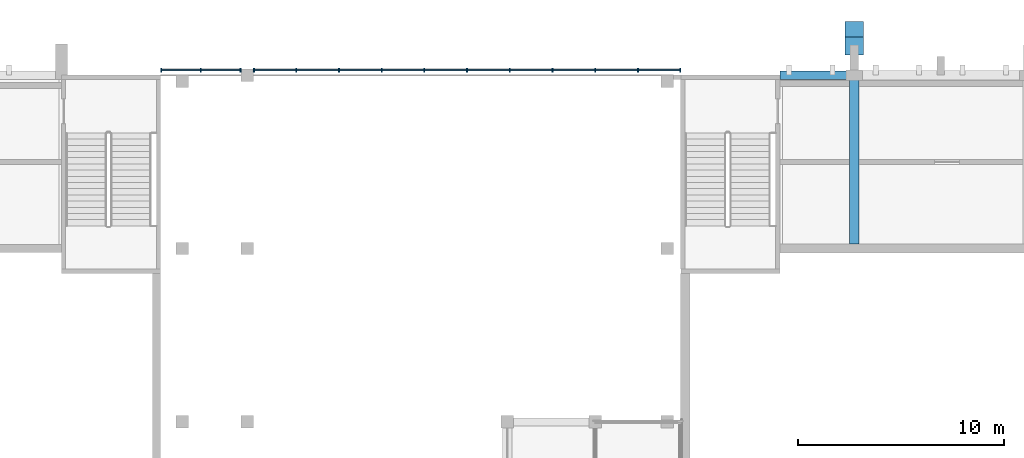
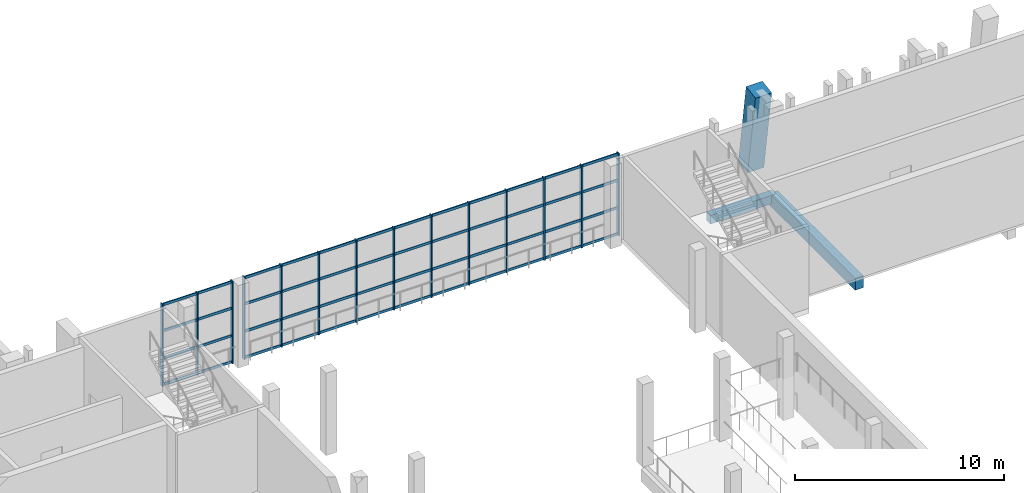
# One storey, part 9 of 91: 63 members, 2 beams, 2 elements without a shape of their own.
"""IFC4 building model written with IfcOpenShell, lengths in metres."""

from ifc_helpers import new_model, si_unit, direction, frame, origin, origin_2d, place, context, subcontext, project, spatial, rectangle, extrude, material, layer, layer_set, material_profile, profile_set, type_object, element, aggregate, save


model = new_model("IFC4")

# Units and contexts
model_context = context("Model", 3, precision=1e-05, world=origin(), true_north=direction((0.0, 1.0)))
body_context = subcontext(model_context, "Body", "Model", "MODEL_VIEW")
ifc_project = project(units=[si_unit("LENGTHUNIT", "METRE"), si_unit("AREAUNIT", "SQUARE_METRE"), si_unit("VOLUMEUNIT", "CUBIC_METRE"), si_unit("PLANEANGLEUNIT", "RADIAN"), si_unit("MASSUNIT", "GRAM", prefix="KILO")], contexts=[model_context])

# Site, building, storey
site_placement = place(None, origin())
site = spatial("IfcSite", under=ifc_project, at=site_placement, CompositionType="ELEMENT")
building_placement = place(site_placement, origin())
building = spatial("IfcBuilding", under=site, at=building_placement, Name="Kiln Court Media Centre", CompositionType="ELEMENT")
storey_placement = place(building_placement, frame((0.0, 0.0, 5.39990234375)))
storey = spatial("IfcBuildingStorey", under=building, at=storey_placement, Name="L01", CompositionType="ELEMENT", Elevation=5.39990234375)

# Curtain wall, members
ifc_material_1 = material(Name="Aluminium 6063-T6", Category="aluminium")
ifc_layer = layer(ifc_material_1, 0.1201171875)
ifc_layer_set = layer_set([ifc_layer], Name="Aluminium stick curtain wall, foyer")
curtain_wall_type = type_object("IfcCurtainWallType", Name="Aluminium stick curtain wall, foyer", PredefinedType="USERDEFINED", material=ifc_layer_set)
curtain_wall_1_placement = place(storey_placement, origin())
curtain_wall_1 = element("IfcCurtainWall", 1, at=curtain_wall_1_placement, inside=storey, type_object=curtain_wall_type, Name="Foyer north glazing L01", ObjectType="STICK CURTAIN WALL", PredefinedType="USERDEFINED")
ifc_material_2 = material(Name="Aluminium 6063-T6", Category="aluminium")
ifc_material_profile_1 = material_profile(ifc_material_2, rectangle(XDim=0.06005859375, YDim=0.199951171875, at=origin_2d()), Name="Aluminium hall mullion 60x200")
ifc_profile_set_1 = profile_set([ifc_material_profile_1], Name="Aluminium 6063-T6")
member_type_1 = type_object("IfcMemberType", Name="Aluminium hall mullion 60x200", PredefinedType="MULLION", material=ifc_profile_set_1)
member_1_placement = place(storey_placement, frame((33.6298828125, 67.444580078125, 0.0), z_axis=(0.0, 0.0, 1.0), x_axis=(1.0, 0.0, 0.0)))
member_1 = element("IfcMember", 2, at=member_1_placement, type_object=member_type_1, Name="CW1-60 mullion 1", PredefinedType="MULLION", context=body_context, shape_type="SweptSolid", body=[
    extrude(rectangle(XDim=0.06005859375, YDim=0.199951171875, at=origin_2d()), origin(), (0.0, 0.0, 1.0), 4.800048828125),
])
member_2_placement = place(storey_placement, frame((35.550048828125, 67.444580078125, 0.0), z_axis=(0.0, 0.0, 1.0), x_axis=(1.0, 0.0, 0.0)))
member_2 = element("IfcMember", 3, at=member_2_placement, type_object=member_type_1, Name="CW1-60 mullion 2", PredefinedType="MULLION", context=body_context, shape_type="SweptSolid", body=[
    extrude(rectangle(XDim=0.06005859375, YDim=0.199951171875, at=origin_2d()), origin(), (0.0, 0.0, 1.0), 4.800048828125),
])
member_3_placement = place(storey_placement, frame((37.469970703125, 67.444580078125, 0.0), z_axis=(0.0, 0.0, 1.0), x_axis=(1.0, 0.0, 0.0)))
member_3 = element("IfcMember", 4, at=member_3_placement, type_object=member_type_1, Name="CW1-60 mullion 3", PredefinedType="MULLION", context=body_context, shape_type="SweptSolid", body=[
    extrude(rectangle(XDim=0.06005859375, YDim=0.199951171875, at=origin_2d()), origin(), (0.0, 0.0, 1.0), 4.800048828125),
])

curtain_wall_2_placement = place(storey_placement, origin())
curtain_wall_2 = element("IfcCurtainWall", 5, at=curtain_wall_2_placement, inside=storey, type_object=curtain_wall_type, Name="Foyer north glazing L01", ObjectType="STICK CURTAIN WALL", PredefinedType="USERDEFINED")
member_4_placement = place(storey_placement, frame((38.1298828125, 67.444580078125, 0.0), z_axis=(0.0, 0.0, 1.0), x_axis=(1.0, 0.0, 0.0)))
member_4 = element("IfcMember", 6, at=member_4_placement, type_object=member_type_1, Name="CW1-61 mullion 1", PredefinedType="MULLION", context=body_context, shape_type="SweptSolid", body=[
    extrude(rectangle(XDim=0.06005859375, YDim=0.199951171875, at=origin_2d()), origin(), (0.0, 0.0, 1.0), 4.800048828125),
])
member_5_placement = place(storey_placement, frame((40.169921875, 67.444580078125, 0.0), z_axis=(0.0, 0.0, 1.0), x_axis=(1.0, 0.0, 0.0)))
member_5 = element("IfcMember", 7, at=member_5_placement, type_object=member_type_1, Name="CW1-61 mullion 2", PredefinedType="MULLION", context=body_context, shape_type="SweptSolid", body=[
    extrude(rectangle(XDim=0.06005859375, YDim=0.199951171875, at=origin_2d()), origin(), (0.0, 0.0, 1.0), 4.800048828125),
])
member_6_placement = place(storey_placement, frame((42.239990234375, 67.444580078125, 0.0), z_axis=(0.0, 0.0, 1.0), x_axis=(1.0, 0.0, 0.0)))
member_6 = element("IfcMember", 8, at=member_6_placement, type_object=member_type_1, Name="CW1-61 mullion 3", PredefinedType="MULLION", context=body_context, shape_type="SweptSolid", body=[
    extrude(rectangle(XDim=0.06005859375, YDim=0.199951171875, at=origin_2d()), origin(), (0.0, 0.0, 1.0), 4.800048828125),
])
member_7_placement = place(storey_placement, frame((44.31005859375, 67.444580078125, 0.0), z_axis=(0.0, 0.0, 1.0), x_axis=(1.0, 0.0, 0.0)))
member_7 = element("IfcMember", 9, at=member_7_placement, type_object=member_type_1, Name="CW1-61 mullion 4", PredefinedType="MULLION", context=body_context, shape_type="SweptSolid", body=[
    extrude(rectangle(XDim=0.06005859375, YDim=0.199951171875, at=origin_2d()), origin(), (0.0, 0.0, 1.0), 4.800048828125),
])
member_8_placement = place(storey_placement, frame((46.3798828125, 67.444580078125, 0.0), z_axis=(0.0, 0.0, 1.0), x_axis=(1.0, 0.0, 0.0)))
member_8 = element("IfcMember", 10, at=member_8_placement, type_object=member_type_1, Name="CW1-61 mullion 5", PredefinedType="MULLION", context=body_context, shape_type="SweptSolid", body=[
    extrude(rectangle(XDim=0.06005859375, YDim=0.199951171875, at=origin_2d()), origin(), (0.0, 0.0, 1.0), 4.800048828125),
])
member_9_placement = place(storey_placement, frame((48.449951171875, 67.444580078125, 0.0), z_axis=(0.0, 0.0, 1.0), x_axis=(1.0, 0.0, 0.0)))
member_9 = element("IfcMember", 11, at=member_9_placement, type_object=member_type_1, Name="CW1-61 mullion 6", PredefinedType="MULLION", context=body_context, shape_type="SweptSolid", body=[
    extrude(rectangle(XDim=0.06005859375, YDim=0.199951171875, at=origin_2d()), origin(), (0.0, 0.0, 1.0), 4.800048828125),
])
member_10_placement = place(storey_placement, frame((50.52001953125, 67.444580078125, 0.0), z_axis=(0.0, 0.0, 1.0), x_axis=(1.0, 0.0, 0.0)))
member_10 = element("IfcMember", 12, at=member_10_placement, type_object=member_type_1, Name="CW1-61 mullion 7", PredefinedType="MULLION", context=body_context, shape_type="SweptSolid", body=[
    extrude(rectangle(XDim=0.06005859375, YDim=0.199951171875, at=origin_2d()), origin(), (0.0, 0.0, 1.0), 4.800048828125),
])
member_11_placement = place(storey_placement, frame((52.590087890625, 67.444580078125, 0.0), z_axis=(0.0, 0.0, 1.0), x_axis=(1.0, 0.0, 0.0)))
member_11 = element("IfcMember", 13, at=member_11_placement, type_object=member_type_1, Name="CW1-61 mullion 8", PredefinedType="MULLION", context=body_context, shape_type="SweptSolid", body=[
    extrude(rectangle(XDim=0.06005859375, YDim=0.199951171875, at=origin_2d()), origin(), (0.0, 0.0, 1.0), 4.800048828125),
])
member_12_placement = place(storey_placement, frame((54.659912109375, 67.444580078125, 0.0), z_axis=(0.0, 0.0, 1.0), x_axis=(1.0, 0.0, 0.0)))
member_12 = element("IfcMember", 14, at=member_12_placement, type_object=member_type_1, Name="CW1-61 mullion 9", PredefinedType="MULLION", context=body_context, shape_type="SweptSolid", body=[
    extrude(rectangle(XDim=0.06005859375, YDim=0.199951171875, at=origin_2d()), origin(), (0.0, 0.0, 1.0), 4.800048828125),
])
member_13_placement = place(storey_placement, frame((56.72998046875, 67.444580078125, 0.0), z_axis=(0.0, 0.0, 1.0), x_axis=(1.0, 0.0, 0.0)))
member_13 = element("IfcMember", 15, at=member_13_placement, type_object=member_type_1, Name="CW1-61 mullion 10", PredefinedType="MULLION", context=body_context, shape_type="SweptSolid", body=[
    extrude(rectangle(XDim=0.06005859375, YDim=0.199951171875, at=origin_2d()), origin(), (0.0, 0.0, 1.0), 4.800048828125),
])
member_14_placement = place(storey_placement, frame((58.77001953125, 67.444580078125, 0.0), z_axis=(0.0, 0.0, 1.0), x_axis=(1.0, 0.0, 0.0)))
member_14 = element("IfcMember", 16, at=member_14_placement, type_object=member_type_1, Name="CW1-61 mullion 11", PredefinedType="MULLION", context=body_context, shape_type="SweptSolid", body=[
    extrude(rectangle(XDim=0.06005859375, YDim=0.199951171875, at=origin_2d()), origin(), (0.0, 0.0, 1.0), 4.800048828125),
])

# Member
ifc_material_3 = material(Name="Aluminium 6063-T6", Category="aluminium")
ifc_material_profile_2 = material_profile(ifc_material_3, rectangle(XDim=0.06005859375, YDim=0.14990234375, at=origin_2d()), Name="Aluminium hall transom 60x150")
ifc_profile_set_2 = profile_set([ifc_material_profile_2], Name="Aluminium 6063-T6")
member_type_2 = type_object("IfcMemberType", Name="Aluminium hall transom 60x150", PredefinedType="USERDEFINED", material=ifc_profile_set_2)
member_15_placement = place(storey_placement, frame((33.659912109375, 67.444580078125, 0.0751953125), z_axis=(1.0, 0.0, 0.0), x_axis=(0.0, 1.0, 0.0)))
member_15 = element("IfcMember", 17, at=member_15_placement, type_object=member_type_2, Name="CW1-60 transom 1.1", ObjectType="TRANSOM", PredefinedType="USERDEFINED", context=body_context, shape_type="SweptSolid", body=[
    extrude(rectangle(XDim=0.06005859375, YDim=0.14990234375, at=origin_2d()), origin(), (0.0, 0.0, 1.0), 1.860107421875),
])

member_16_placement = place(storey_placement, frame((33.659912109375, 67.444580078125, 1.60009765625), z_axis=(1.0, 0.0, 0.0), x_axis=(0.0, 1.0, 0.0)))
member_16 = element("IfcMember", 18, at=member_16_placement, type_object=member_type_2, Name="CW1-60 transom 1.2", ObjectType="TRANSOM", PredefinedType="USERDEFINED", context=body_context, shape_type="SweptSolid", body=[
    extrude(rectangle(XDim=0.06005859375, YDim=0.14990234375, at=origin_2d()), origin(), (0.0, 0.0, 1.0), 1.860107421875),
])

member_17_placement = place(storey_placement, frame((33.659912109375, 67.444580078125, 3.2001953125), z_axis=(1.0, 0.0, 0.0), x_axis=(0.0, 1.0, 0.0)))
member_17 = element("IfcMember", 19, at=member_17_placement, type_object=member_type_2, Name="CW1-60 transom 1.3", ObjectType="TRANSOM", PredefinedType="USERDEFINED", context=body_context, shape_type="SweptSolid", body=[
    extrude(rectangle(XDim=0.06005859375, YDim=0.14990234375, at=origin_2d()), origin(), (0.0, 0.0, 1.0), 1.860107421875),
])

member_18_placement = place(storey_placement, frame((33.659912109375, 67.444580078125, 4.72509765625), z_axis=(1.0, 0.0, 0.0), x_axis=(0.0, 1.0, 0.0)))
member_18 = element("IfcMember", 20, at=member_18_placement, type_object=member_type_2, Name="CW1-60 transom 1.4", ObjectType="TRANSOM", PredefinedType="USERDEFINED", context=body_context, shape_type="SweptSolid", body=[
    extrude(rectangle(XDim=0.06005859375, YDim=0.14990234375, at=origin_2d()), origin(), (0.0, 0.0, 1.0), 1.860107421875),
])

member_19_placement = place(storey_placement, frame((35.580078125, 67.444580078125, 0.0751953125), z_axis=(1.0, 0.0, 0.0), x_axis=(0.0, 1.0, 0.0)))
member_19 = element("IfcMember", 21, at=member_19_placement, type_object=member_type_2, Name="CW1-60 transom 2.1", ObjectType="TRANSOM", PredefinedType="USERDEFINED", context=body_context, shape_type="SweptSolid", body=[
    extrude(rectangle(XDim=0.06005859375, YDim=0.14990234375, at=origin_2d()), origin(), (0.0, 0.0, 1.0), 1.85986328125),
])

member_20_placement = place(storey_placement, frame((35.580078125, 67.444580078125, 1.60009765625), z_axis=(1.0, 0.0, 0.0), x_axis=(0.0, 1.0, 0.0)))
member_20 = element("IfcMember", 22, at=member_20_placement, type_object=member_type_2, Name="CW1-60 transom 2.2", ObjectType="TRANSOM", PredefinedType="USERDEFINED", context=body_context, shape_type="SweptSolid", body=[
    extrude(rectangle(XDim=0.06005859375, YDim=0.14990234375, at=origin_2d()), origin(), (0.0, 0.0, 1.0), 1.85986328125),
])

member_21_placement = place(storey_placement, frame((35.580078125, 67.444580078125, 3.2001953125), z_axis=(1.0, 0.0, 0.0), x_axis=(0.0, 1.0, 0.0)))
member_21 = element("IfcMember", 23, at=member_21_placement, type_object=member_type_2, Name="CW1-60 transom 2.3", ObjectType="TRANSOM", PredefinedType="USERDEFINED", context=body_context, shape_type="SweptSolid", body=[
    extrude(rectangle(XDim=0.06005859375, YDim=0.14990234375, at=origin_2d()), origin(), (0.0, 0.0, 1.0), 1.85986328125),
])

member_22_placement = place(storey_placement, frame((35.580078125, 67.444580078125, 4.72509765625), z_axis=(1.0, 0.0, 0.0), x_axis=(0.0, 1.0, 0.0)))
member_22 = element("IfcMember", 24, at=member_22_placement, type_object=member_type_2, Name="CW1-60 transom 2.4", ObjectType="TRANSOM", PredefinedType="USERDEFINED", context=body_context, shape_type="SweptSolid", body=[
    extrude(rectangle(XDim=0.06005859375, YDim=0.14990234375, at=origin_2d()), origin(), (0.0, 0.0, 1.0), 1.85986328125),
])

aggregate(curtain_wall_1, [member_1, member_2, member_3, member_15, member_16, member_17, member_18, member_19, member_20, member_21, member_22])

member_23_placement = place(storey_placement, frame((38.159912109375, 67.444580078125, 0.0751953125), z_axis=(1.0, 0.0, 0.0), x_axis=(0.0, 1.0, 0.0)))
member_23 = element("IfcMember", 25, at=member_23_placement, type_object=member_type_2, Name="CW1-61 transom 1.1", ObjectType="TRANSOM", PredefinedType="USERDEFINED", context=body_context, shape_type="SweptSolid", body=[
    extrude(rectangle(XDim=0.06005859375, YDim=0.14990234375, at=origin_2d()), origin(), (0.0, 0.0, 1.0), 1.97998046875),
])

member_24_placement = place(storey_placement, frame((38.159912109375, 67.444580078125, 1.60009765625), z_axis=(1.0, 0.0, 0.0), x_axis=(0.0, 1.0, 0.0)))
member_24 = element("IfcMember", 26, at=member_24_placement, type_object=member_type_2, Name="CW1-61 transom 1.2", ObjectType="TRANSOM", PredefinedType="USERDEFINED", context=body_context, shape_type="SweptSolid", body=[
    extrude(rectangle(XDim=0.06005859375, YDim=0.14990234375, at=origin_2d()), origin(), (0.0, 0.0, 1.0), 1.97998046875),
])

member_25_placement = place(storey_placement, frame((38.159912109375, 67.444580078125, 3.2001953125), z_axis=(1.0, 0.0, 0.0), x_axis=(0.0, 1.0, 0.0)))
member_25 = element("IfcMember", 27, at=member_25_placement, type_object=member_type_2, Name="CW1-61 transom 1.3", ObjectType="TRANSOM", PredefinedType="USERDEFINED", context=body_context, shape_type="SweptSolid", body=[
    extrude(rectangle(XDim=0.06005859375, YDim=0.14990234375, at=origin_2d()), origin(), (0.0, 0.0, 1.0), 1.97998046875),
])

member_26_placement = place(storey_placement, frame((38.159912109375, 67.444580078125, 4.72509765625), z_axis=(1.0, 0.0, 0.0), x_axis=(0.0, 1.0, 0.0)))
member_26 = element("IfcMember", 28, at=member_26_placement, type_object=member_type_2, Name="CW1-61 transom 1.4", ObjectType="TRANSOM", PredefinedType="USERDEFINED", context=body_context, shape_type="SweptSolid", body=[
    extrude(rectangle(XDim=0.06005859375, YDim=0.14990234375, at=origin_2d()), origin(), (0.0, 0.0, 1.0), 1.97998046875),
])

member_27_placement = place(storey_placement, frame((40.199951171875, 67.444580078125, 0.0751953125), z_axis=(1.0, 0.0, 0.0), x_axis=(0.0, 1.0, 0.0)))
member_27 = element("IfcMember", 29, at=member_27_placement, type_object=member_type_2, Name="CW1-61 transom 2.1", ObjectType="TRANSOM", PredefinedType="USERDEFINED", context=body_context, shape_type="SweptSolid", body=[
    extrude(rectangle(XDim=0.06005859375, YDim=0.14990234375, at=origin_2d()), origin(), (0.0, 0.0, 1.0), 2.010009765625),
])

member_28_placement = place(storey_placement, frame((40.199951171875, 67.444580078125, 1.60009765625), z_axis=(1.0, 0.0, 0.0), x_axis=(0.0, 1.0, 0.0)))
member_28 = element("IfcMember", 30, at=member_28_placement, type_object=member_type_2, Name="CW1-61 transom 2.2", ObjectType="TRANSOM", PredefinedType="USERDEFINED", context=body_context, shape_type="SweptSolid", body=[
    extrude(rectangle(XDim=0.06005859375, YDim=0.14990234375, at=origin_2d()), origin(), (0.0, 0.0, 1.0), 2.010009765625),
])

member_29_placement = place(storey_placement, frame((40.199951171875, 67.444580078125, 3.2001953125), z_axis=(1.0, 0.0, 0.0), x_axis=(0.0, 1.0, 0.0)))
member_29 = element("IfcMember", 31, at=member_29_placement, type_object=member_type_2, Name="CW1-61 transom 2.3", ObjectType="TRANSOM", PredefinedType="USERDEFINED", context=body_context, shape_type="SweptSolid", body=[
    extrude(rectangle(XDim=0.06005859375, YDim=0.14990234375, at=origin_2d()), origin(), (0.0, 0.0, 1.0), 2.010009765625),
])

member_30_placement = place(storey_placement, frame((40.199951171875, 67.444580078125, 4.72509765625), z_axis=(1.0, 0.0, 0.0), x_axis=(0.0, 1.0, 0.0)))
member_30 = element("IfcMember", 32, at=member_30_placement, type_object=member_type_2, Name="CW1-61 transom 2.4", ObjectType="TRANSOM", PredefinedType="USERDEFINED", context=body_context, shape_type="SweptSolid", body=[
    extrude(rectangle(XDim=0.06005859375, YDim=0.14990234375, at=origin_2d()), origin(), (0.0, 0.0, 1.0), 2.010009765625),
])

member_31_placement = place(storey_placement, frame((42.27001953125, 67.444580078125, 0.0751953125), z_axis=(1.0, 0.0, 0.0), x_axis=(0.0, 1.0, 0.0)))
member_31 = element("IfcMember", 33, at=member_31_placement, type_object=member_type_2, Name="CW1-61 transom 3.1", ObjectType="TRANSOM", PredefinedType="USERDEFINED", context=body_context, shape_type="SweptSolid", body=[
    extrude(rectangle(XDim=0.06005859375, YDim=0.14990234375, at=origin_2d()), origin(), (0.0, 0.0, 1.0), 2.010009765625),
])

member_32_placement = place(storey_placement, frame((42.27001953125, 67.444580078125, 1.60009765625), z_axis=(1.0, 0.0, 0.0), x_axis=(0.0, 1.0, 0.0)))
member_32 = element("IfcMember", 34, at=member_32_placement, type_object=member_type_2, Name="CW1-61 transom 3.2", ObjectType="TRANSOM", PredefinedType="USERDEFINED", context=body_context, shape_type="SweptSolid", body=[
    extrude(rectangle(XDim=0.06005859375, YDim=0.14990234375, at=origin_2d()), origin(), (0.0, 0.0, 1.0), 2.010009765625),
])

member_33_placement = place(storey_placement, frame((42.27001953125, 67.444580078125, 3.2001953125), z_axis=(1.0, 0.0, 0.0), x_axis=(0.0, 1.0, 0.0)))
member_33 = element("IfcMember", 35, at=member_33_placement, type_object=member_type_2, Name="CW1-61 transom 3.3", ObjectType="TRANSOM", PredefinedType="USERDEFINED", context=body_context, shape_type="SweptSolid", body=[
    extrude(rectangle(XDim=0.06005859375, YDim=0.14990234375, at=origin_2d()), origin(), (0.0, 0.0, 1.0), 2.010009765625),
])

member_34_placement = place(storey_placement, frame((42.27001953125, 67.444580078125, 4.72509765625), z_axis=(1.0, 0.0, 0.0), x_axis=(0.0, 1.0, 0.0)))
member_34 = element("IfcMember", 36, at=member_34_placement, type_object=member_type_2, Name="CW1-61 transom 3.4", ObjectType="TRANSOM", PredefinedType="USERDEFINED", context=body_context, shape_type="SweptSolid", body=[
    extrude(rectangle(XDim=0.06005859375, YDim=0.14990234375, at=origin_2d()), origin(), (0.0, 0.0, 1.0), 2.010009765625),
])

member_35_placement = place(storey_placement, frame((44.340087890625, 67.444580078125, 0.0751953125), z_axis=(1.0, 0.0, 0.0), x_axis=(0.0, 1.0, 0.0)))
member_35 = element("IfcMember", 37, at=member_35_placement, type_object=member_type_2, Name="CW1-61 transom 4.1", ObjectType="TRANSOM", PredefinedType="USERDEFINED", context=body_context, shape_type="SweptSolid", body=[
    extrude(rectangle(XDim=0.06005859375, YDim=0.14990234375, at=origin_2d()), origin(), (0.0, 0.0, 1.0), 2.010009765625),
])

member_36_placement = place(storey_placement, frame((44.340087890625, 67.444580078125, 1.60009765625), z_axis=(1.0, 0.0, 0.0), x_axis=(0.0, 1.0, 0.0)))
member_36 = element("IfcMember", 38, at=member_36_placement, type_object=member_type_2, Name="CW1-61 transom 4.2", ObjectType="TRANSOM", PredefinedType="USERDEFINED", context=body_context, shape_type="SweptSolid", body=[
    extrude(rectangle(XDim=0.06005859375, YDim=0.14990234375, at=origin_2d()), origin(), (0.0, 0.0, 1.0), 2.010009765625),
])

member_37_placement = place(storey_placement, frame((44.340087890625, 67.444580078125, 3.2001953125), z_axis=(1.0, 0.0, 0.0), x_axis=(0.0, 1.0, 0.0)))
member_37 = element("IfcMember", 39, at=member_37_placement, type_object=member_type_2, Name="CW1-61 transom 4.3", ObjectType="TRANSOM", PredefinedType="USERDEFINED", context=body_context, shape_type="SweptSolid", body=[
    extrude(rectangle(XDim=0.06005859375, YDim=0.14990234375, at=origin_2d()), origin(), (0.0, 0.0, 1.0), 2.010009765625),
])

member_38_placement = place(storey_placement, frame((44.340087890625, 67.444580078125, 4.72509765625), z_axis=(1.0, 0.0, 0.0), x_axis=(0.0, 1.0, 0.0)))
member_38 = element("IfcMember", 40, at=member_38_placement, type_object=member_type_2, Name="CW1-61 transom 4.4", ObjectType="TRANSOM", PredefinedType="USERDEFINED", context=body_context, shape_type="SweptSolid", body=[
    extrude(rectangle(XDim=0.06005859375, YDim=0.14990234375, at=origin_2d()), origin(), (0.0, 0.0, 1.0), 2.010009765625),
])

member_39_placement = place(storey_placement, frame((46.409912109375, 67.444580078125, 0.0751953125), z_axis=(1.0, 0.0, 0.0), x_axis=(0.0, 1.0, 0.0)))
member_39 = element("IfcMember", 41, at=member_39_placement, type_object=member_type_2, Name="CW1-61 transom 5.1", ObjectType="TRANSOM", PredefinedType="USERDEFINED", context=body_context, shape_type="SweptSolid", body=[
    extrude(rectangle(XDim=0.06005859375, YDim=0.14990234375, at=origin_2d()), origin(), (0.0, 0.0, 1.0), 2.010009765625),
])

member_40_placement = place(storey_placement, frame((46.409912109375, 67.444580078125, 1.60009765625), z_axis=(1.0, 0.0, 0.0), x_axis=(0.0, 1.0, 0.0)))
member_40 = element("IfcMember", 42, at=member_40_placement, type_object=member_type_2, Name="CW1-61 transom 5.2", ObjectType="TRANSOM", PredefinedType="USERDEFINED", context=body_context, shape_type="SweptSolid", body=[
    extrude(rectangle(XDim=0.06005859375, YDim=0.14990234375, at=origin_2d()), origin(), (0.0, 0.0, 1.0), 2.010009765625),
])

member_41_placement = place(storey_placement, frame((46.409912109375, 67.444580078125, 3.2001953125), z_axis=(1.0, 0.0, 0.0), x_axis=(0.0, 1.0, 0.0)))
member_41 = element("IfcMember", 43, at=member_41_placement, type_object=member_type_2, Name="CW1-61 transom 5.3", ObjectType="TRANSOM", PredefinedType="USERDEFINED", context=body_context, shape_type="SweptSolid", body=[
    extrude(rectangle(XDim=0.06005859375, YDim=0.14990234375, at=origin_2d()), origin(), (0.0, 0.0, 1.0), 2.010009765625),
])

member_42_placement = place(storey_placement, frame((46.409912109375, 67.444580078125, 4.72509765625), z_axis=(1.0, 0.0, 0.0), x_axis=(0.0, 1.0, 0.0)))
member_42 = element("IfcMember", 44, at=member_42_placement, type_object=member_type_2, Name="CW1-61 transom 5.4", ObjectType="TRANSOM", PredefinedType="USERDEFINED", context=body_context, shape_type="SweptSolid", body=[
    extrude(rectangle(XDim=0.06005859375, YDim=0.14990234375, at=origin_2d()), origin(), (0.0, 0.0, 1.0), 2.010009765625),
])

member_43_placement = place(storey_placement, frame((48.47998046875, 67.444580078125, 0.0751953125), z_axis=(1.0, 0.0, 0.0), x_axis=(0.0, 1.0, 0.0)))
member_43 = element("IfcMember", 45, at=member_43_placement, type_object=member_type_2, Name="CW1-61 transom 6.1", ObjectType="TRANSOM", PredefinedType="USERDEFINED", context=body_context, shape_type="SweptSolid", body=[
    extrude(rectangle(XDim=0.06005859375, YDim=0.14990234375, at=origin_2d()), origin(), (0.0, 0.0, 1.0), 2.010009765625),
])

member_44_placement = place(storey_placement, frame((48.47998046875, 67.444580078125, 1.60009765625), z_axis=(1.0, 0.0, 0.0), x_axis=(0.0, 1.0, 0.0)))
member_44 = element("IfcMember", 46, at=member_44_placement, type_object=member_type_2, Name="CW1-61 transom 6.2", ObjectType="TRANSOM", PredefinedType="USERDEFINED", context=body_context, shape_type="SweptSolid", body=[
    extrude(rectangle(XDim=0.06005859375, YDim=0.14990234375, at=origin_2d()), origin(), (0.0, 0.0, 1.0), 2.010009765625),
])

member_45_placement = place(storey_placement, frame((48.47998046875, 67.444580078125, 3.2001953125), z_axis=(1.0, 0.0, 0.0), x_axis=(0.0, 1.0, 0.0)))
member_45 = element("IfcMember", 47, at=member_45_placement, type_object=member_type_2, Name="CW1-61 transom 6.3", ObjectType="TRANSOM", PredefinedType="USERDEFINED", context=body_context, shape_type="SweptSolid", body=[
    extrude(rectangle(XDim=0.06005859375, YDim=0.14990234375, at=origin_2d()), origin(), (0.0, 0.0, 1.0), 2.010009765625),
])

member_46_placement = place(storey_placement, frame((48.47998046875, 67.444580078125, 4.72509765625), z_axis=(1.0, 0.0, 0.0), x_axis=(0.0, 1.0, 0.0)))
member_46 = element("IfcMember", 48, at=member_46_placement, type_object=member_type_2, Name="CW1-61 transom 6.4", ObjectType="TRANSOM", PredefinedType="USERDEFINED", context=body_context, shape_type="SweptSolid", body=[
    extrude(rectangle(XDim=0.06005859375, YDim=0.14990234375, at=origin_2d()), origin(), (0.0, 0.0, 1.0), 2.010009765625),
])

member_47_placement = place(storey_placement, frame((50.550048828125, 67.444580078125, 0.0751953125), z_axis=(1.0, 0.0, 0.0), x_axis=(0.0, 1.0, 0.0)))
member_47 = element("IfcMember", 49, at=member_47_placement, type_object=member_type_2, Name="CW1-61 transom 7.1", ObjectType="TRANSOM", PredefinedType="USERDEFINED", context=body_context, shape_type="SweptSolid", body=[
    extrude(rectangle(XDim=0.06005859375, YDim=0.14990234375, at=origin_2d()), origin(), (0.0, 0.0, 1.0), 2.010009765625),
])

member_48_placement = place(storey_placement, frame((50.550048828125, 67.444580078125, 1.60009765625), z_axis=(1.0, 0.0, 0.0), x_axis=(0.0, 1.0, 0.0)))
member_48 = element("IfcMember", 50, at=member_48_placement, type_object=member_type_2, Name="CW1-61 transom 7.2", ObjectType="TRANSOM", PredefinedType="USERDEFINED", context=body_context, shape_type="SweptSolid", body=[
    extrude(rectangle(XDim=0.06005859375, YDim=0.14990234375, at=origin_2d()), origin(), (0.0, 0.0, 1.0), 2.010009765625),
])

member_49_placement = place(storey_placement, frame((50.550048828125, 67.444580078125, 3.2001953125), z_axis=(1.0, 0.0, 0.0), x_axis=(0.0, 1.0, 0.0)))
member_49 = element("IfcMember", 51, at=member_49_placement, type_object=member_type_2, Name="CW1-61 transom 7.3", ObjectType="TRANSOM", PredefinedType="USERDEFINED", context=body_context, shape_type="SweptSolid", body=[
    extrude(rectangle(XDim=0.06005859375, YDim=0.14990234375, at=origin_2d()), origin(), (0.0, 0.0, 1.0), 2.010009765625),
])

member_50_placement = place(storey_placement, frame((50.550048828125, 67.444580078125, 4.72509765625), z_axis=(1.0, 0.0, 0.0), x_axis=(0.0, 1.0, 0.0)))
member_50 = element("IfcMember", 52, at=member_50_placement, type_object=member_type_2, Name="CW1-61 transom 7.4", ObjectType="TRANSOM", PredefinedType="USERDEFINED", context=body_context, shape_type="SweptSolid", body=[
    extrude(rectangle(XDim=0.06005859375, YDim=0.14990234375, at=origin_2d()), origin(), (0.0, 0.0, 1.0), 2.010009765625),
])

member_51_placement = place(storey_placement, frame((52.6201171875, 67.444580078125, 0.0751953125), z_axis=(1.0, 0.0, 0.0), x_axis=(0.0, 1.0, 0.0)))
member_51 = element("IfcMember", 53, at=member_51_placement, type_object=member_type_2, Name="CW1-61 transom 8.1", ObjectType="TRANSOM", PredefinedType="USERDEFINED", context=body_context, shape_type="SweptSolid", body=[
    extrude(rectangle(XDim=0.06005859375, YDim=0.14990234375, at=origin_2d()), origin(), (0.0, 0.0, 1.0), 2.009765625),
])

member_52_placement = place(storey_placement, frame((52.6201171875, 67.444580078125, 1.60009765625), z_axis=(1.0, 0.0, 0.0), x_axis=(0.0, 1.0, 0.0)))
member_52 = element("IfcMember", 54, at=member_52_placement, type_object=member_type_2, Name="CW1-61 transom 8.2", ObjectType="TRANSOM", PredefinedType="USERDEFINED", context=body_context, shape_type="SweptSolid", body=[
    extrude(rectangle(XDim=0.06005859375, YDim=0.14990234375, at=origin_2d()), origin(), (0.0, 0.0, 1.0), 2.009765625),
])

member_53_placement = place(storey_placement, frame((52.6201171875, 67.444580078125, 3.2001953125), z_axis=(1.0, 0.0, 0.0), x_axis=(0.0, 1.0, 0.0)))
member_53 = element("IfcMember", 55, at=member_53_placement, type_object=member_type_2, Name="CW1-61 transom 8.3", ObjectType="TRANSOM", PredefinedType="USERDEFINED", context=body_context, shape_type="SweptSolid", body=[
    extrude(rectangle(XDim=0.06005859375, YDim=0.14990234375, at=origin_2d()), origin(), (0.0, 0.0, 1.0), 2.009765625),
])

member_54_placement = place(storey_placement, frame((52.6201171875, 67.444580078125, 4.72509765625), z_axis=(1.0, 0.0, 0.0), x_axis=(0.0, 1.0, 0.0)))
member_54 = element("IfcMember", 56, at=member_54_placement, type_object=member_type_2, Name="CW1-61 transom 8.4", ObjectType="TRANSOM", PredefinedType="USERDEFINED", context=body_context, shape_type="SweptSolid", body=[
    extrude(rectangle(XDim=0.06005859375, YDim=0.14990234375, at=origin_2d()), origin(), (0.0, 0.0, 1.0), 2.009765625),
])

member_55_placement = place(storey_placement, frame((54.68994140625, 67.444580078125, 0.0751953125), z_axis=(1.0, 0.0, 0.0), x_axis=(0.0, 1.0, 0.0)))
member_55 = element("IfcMember", 57, at=member_55_placement, type_object=member_type_2, Name="CW1-61 transom 9.1", ObjectType="TRANSOM", PredefinedType="USERDEFINED", context=body_context, shape_type="SweptSolid", body=[
    extrude(rectangle(XDim=0.06005859375, YDim=0.14990234375, at=origin_2d()), origin(), (0.0, 0.0, 1.0), 2.010009765625),
])

member_56_placement = place(storey_placement, frame((54.68994140625, 67.444580078125, 1.60009765625), z_axis=(1.0, 0.0, 0.0), x_axis=(0.0, 1.0, 0.0)))
member_56 = element("IfcMember", 58, at=member_56_placement, type_object=member_type_2, Name="CW1-61 transom 9.2", ObjectType="TRANSOM", PredefinedType="USERDEFINED", context=body_context, shape_type="SweptSolid", body=[
    extrude(rectangle(XDim=0.06005859375, YDim=0.14990234375, at=origin_2d()), origin(), (0.0, 0.0, 1.0), 2.010009765625),
])

member_57_placement = place(storey_placement, frame((54.68994140625, 67.444580078125, 3.2001953125), z_axis=(1.0, 0.0, 0.0), x_axis=(0.0, 1.0, 0.0)))
member_57 = element("IfcMember", 59, at=member_57_placement, type_object=member_type_2, Name="CW1-61 transom 9.3", ObjectType="TRANSOM", PredefinedType="USERDEFINED", context=body_context, shape_type="SweptSolid", body=[
    extrude(rectangle(XDim=0.06005859375, YDim=0.14990234375, at=origin_2d()), origin(), (0.0, 0.0, 1.0), 2.010009765625),
])

member_58_placement = place(storey_placement, frame((54.68994140625, 67.444580078125, 4.72509765625), z_axis=(1.0, 0.0, 0.0), x_axis=(0.0, 1.0, 0.0)))
member_58 = element("IfcMember", 60, at=member_58_placement, type_object=member_type_2, Name="CW1-61 transom 9.4", ObjectType="TRANSOM", PredefinedType="USERDEFINED", context=body_context, shape_type="SweptSolid", body=[
    extrude(rectangle(XDim=0.06005859375, YDim=0.14990234375, at=origin_2d()), origin(), (0.0, 0.0, 1.0), 2.010009765625),
])

member_59_placement = place(storey_placement, frame((56.760009765625, 67.444580078125, 0.0751953125), z_axis=(1.0, 0.0, 0.0), x_axis=(0.0, 1.0, 0.0)))
member_59 = element("IfcMember", 61, at=member_59_placement, type_object=member_type_2, Name="CW1-61 transom 10.1", ObjectType="TRANSOM", PredefinedType="USERDEFINED", context=body_context, shape_type="SweptSolid", body=[
    extrude(rectangle(XDim=0.06005859375, YDim=0.14990234375, at=origin_2d()), origin(), (0.0, 0.0, 1.0), 1.97998046875),
])

member_60_placement = place(storey_placement, frame((56.760009765625, 67.444580078125, 1.60009765625), z_axis=(1.0, 0.0, 0.0), x_axis=(0.0, 1.0, 0.0)))
member_60 = element("IfcMember", 62, at=member_60_placement, type_object=member_type_2, Name="CW1-61 transom 10.2", ObjectType="TRANSOM", PredefinedType="USERDEFINED", context=body_context, shape_type="SweptSolid", body=[
    extrude(rectangle(XDim=0.06005859375, YDim=0.14990234375, at=origin_2d()), origin(), (0.0, 0.0, 1.0), 1.97998046875),
])

member_61_placement = place(storey_placement, frame((56.760009765625, 67.444580078125, 3.2001953125), z_axis=(1.0, 0.0, 0.0), x_axis=(0.0, 1.0, 0.0)))
member_61 = element("IfcMember", 63, at=member_61_placement, type_object=member_type_2, Name="CW1-61 transom 10.3", ObjectType="TRANSOM", PredefinedType="USERDEFINED", context=body_context, shape_type="SweptSolid", body=[
    extrude(rectangle(XDim=0.06005859375, YDim=0.14990234375, at=origin_2d()), origin(), (0.0, 0.0, 1.0), 1.97998046875),
])

member_62_placement = place(storey_placement, frame((56.760009765625, 67.444580078125, 4.72509765625), z_axis=(1.0, 0.0, 0.0), x_axis=(0.0, 1.0, 0.0)))
member_62 = element("IfcMember", 64, at=member_62_placement, type_object=member_type_2, Name="CW1-61 transom 10.4", ObjectType="TRANSOM", PredefinedType="USERDEFINED", context=body_context, shape_type="SweptSolid", body=[
    extrude(rectangle(XDim=0.06005859375, YDim=0.14990234375, at=origin_2d()), origin(), (0.0, 0.0, 1.0), 1.97998046875),
])

aggregate(curtain_wall_2, [member_4, member_5, member_6, member_7, member_8, member_9, member_10, member_11, member_12, member_13, member_14, member_23, member_24, member_25, member_26, member_27, member_28, member_29, member_30, member_31, member_32, member_33, member_34, member_35, member_36, member_37, member_38, member_39, member_40, member_41, member_42, member_43, member_44, member_45, member_46, member_47, member_48, member_49, member_50, member_51, member_52, member_53, member_54, member_55, member_56, member_57, member_58, member_59, member_60, member_61, member_62])

# Beams
ifc_material_4 = material(Name="Concrete C30/37", Category="concrete")
ifc_material_profile_3 = material_profile(ifc_material_4, rectangle(XDim=0.39990234375, YDim=0.5, at=origin_2d()), Name="RC 400x500")
ifc_profile_set_3 = profile_set([ifc_material_profile_3], Name="Concrete C30/37")
beam_type_1 = type_object("IfcBeamType", Name="Concrete C30/37 beam 400x500", PredefinedType="BEAM", material=ifc_profile_set_3)
beam_1_placement = place(storey_placement, frame((63.60009765625, 67.199951171875, -0.5498046875), z_axis=(1.0, 0.0, 0.0), x_axis=(0.0, 1.0, 0.0)))
element("IfcBeam", 65, at=beam_1_placement, inside=storey, type_object=beam_type_1, Name="L01-B-1097", PredefinedType="BEAM", context=body_context, shape_type="SweptSolid", body=[
    extrude(rectangle(XDim=0.39990234375, YDim=0.5, at=origin_2d()), origin(), (0.0, 0.0, 1.0), 3.599853515625),
])
ifc_material_5 = material(Name="Concrete C30/37", Category="concrete")
ifc_material_profile_4 = material_profile(ifc_material_5, rectangle(XDim=0.449951171875, YDim=0.699951171875, at=origin_2d()), Name="RC 450x700")
ifc_profile_set_4 = profile_set([ifc_material_profile_4], Name="Concrete C30/37")
beam_type_2 = type_object("IfcBeamType", Name="Concrete C30/37 beam 450x700", PredefinedType="BEAM", material=ifc_profile_set_4)
beam_2_placement = place(storey_placement, frame((67.199951171875, 59.02490234375, -0.64990234375), z_axis=(0.0, 1.0, 0.0), x_axis=(-1.0, 0.0, 0.0)))
element("IfcBeam", 66, at=beam_2_placement, inside=storey, type_object=beam_type_2, Name="L01-B-1084", PredefinedType="BEAM", context=body_context, shape_type="SweptSolid", body=[
    extrude(rectangle(XDim=0.449951171875, YDim=0.699951171875, at=origin_2d()), origin(), (0.0, 0.0, 1.0), 8.175048828125),
])

# Member
ifc_material_6 = material(Name="Concrete C40/50", Category="concrete")
ifc_material_profile_5 = material_profile(ifc_material_6, rectangle(XDim=0.89990234375, YDim=0.89990234375, at=origin_2d()), Name="RC 900x900")
ifc_profile_set_5 = profile_set([ifc_material_profile_5], Name="Concrete C40/50")
member_type_3 = type_object("IfcMemberType", Name="Concrete C40/50 raked column 900x900", PredefinedType="STRUT", material=ifc_profile_set_5)
member_63_placement = place(storey_placement, frame((67.199951171875, 69.358642578125, 0.0), z_axis=(0.0, -0.153982872492, 0.988073516991), x_axis=(1.0, 0.0, 0.0)))
element("IfcMember", 67, at=member_63_placement, inside=storey, type_object=member_type_3, Name="L01-M-1004", PredefinedType="STRUT", context=body_context, shape_type="SweptSolid", body=[
    extrude(rectangle(XDim=0.89990234375, YDim=0.89990234375, at=origin_2d()), origin(), (0.0, 0.0, 1.0), 4.85791015625),
])

save(model, "model.ifc")
